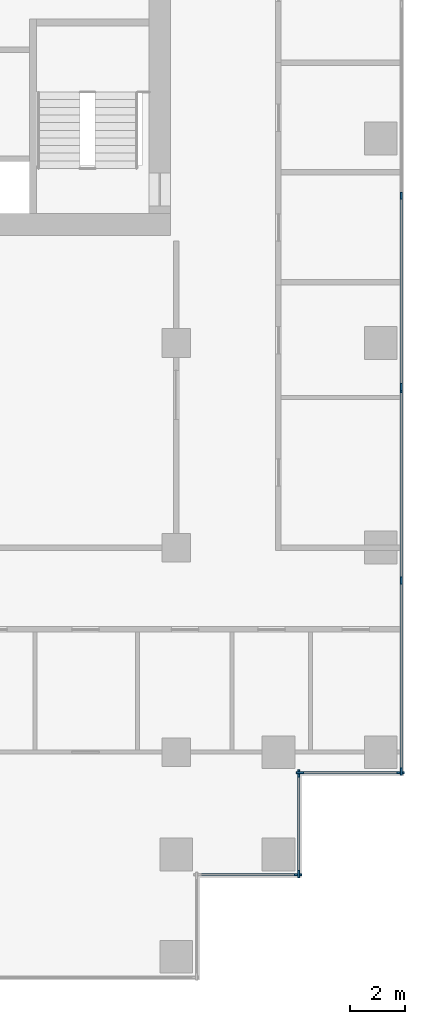
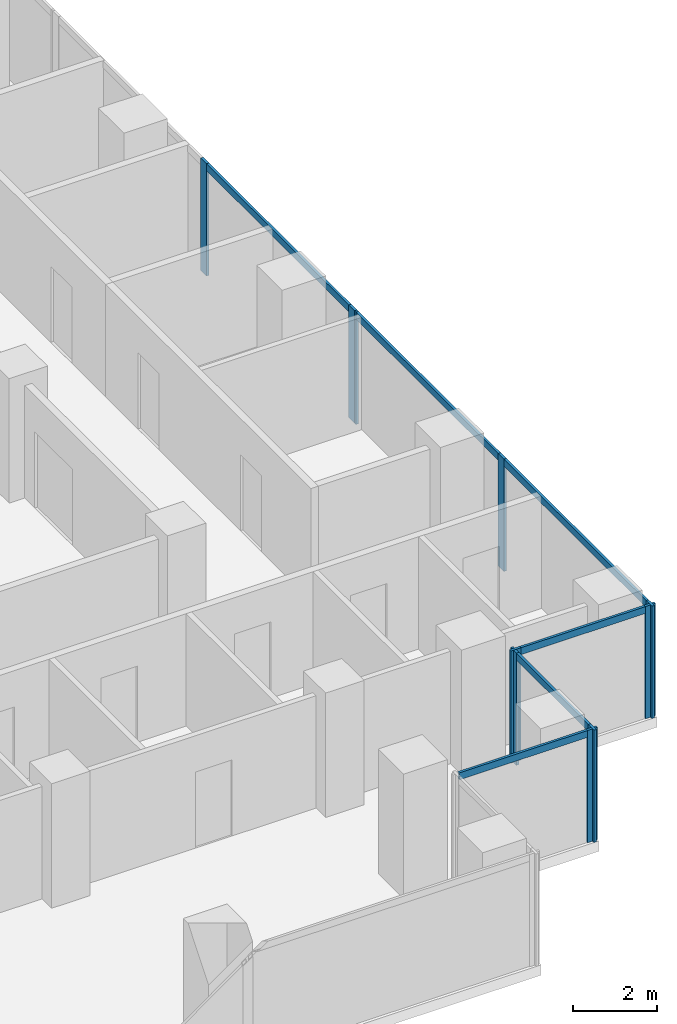
# One storey, part 3 of 10: 16 members, 5 elements without a shape of their own.
"""IFC4 building model written with IfcOpenShell, lengths in metres."""

from ifc_helpers import new_model, si_unit, direction, frame, origin, origin_2d, place, context, subcontext, project, spatial, rectangle, extrude, material, material_profile, profile_set, type_object, element, aggregate, save


model = new_model("IFC4")

# Units and contexts
model_context = context("Model", 3, precision=1e-05, world=origin(), true_north=direction((0.0, 1.0)))
body_context = subcontext(model_context, "Body", "Model", "MODEL_VIEW")
ifc_project = project(units=[si_unit("LENGTHUNIT", "METRE"), si_unit("AREAUNIT", "SQUARE_METRE"), si_unit("VOLUMEUNIT", "CUBIC_METRE"), si_unit("PLANEANGLEUNIT", "RADIAN"), si_unit("MASSUNIT", "GRAM", prefix="KILO")], contexts=[model_context])

# Site, building, storey
site_placement = place(None, origin())
site = spatial("IfcSite", under=ifc_project, at=site_placement, CompositionType="ELEMENT")
building_placement = place(site_placement, origin())
building = spatial("IfcBuilding", under=site, at=building_placement, Name="Pilkhan Gate Tower", CompositionType="ELEMENT")
storey_placement = place(building_placement, frame((0.0, 0.0, 180.10009765625)))
storey = spatial("IfcBuildingStorey", under=building, at=storey_placement, Name="L46", CompositionType="ELEMENT", Elevation=180.10009765625)

# Curtain wall, members
ifc_material_1 = material(Name="Pale anodised aluminium, clear low-iron double glazing", Category="aluminium")
curtain_wall_type = type_object("IfcCurtainWallType", Name="Office unitised curtain wall CW-O1", PredefinedType="USERDEFINED", material=ifc_material_1)
curtain_wall_1_placement = place(storey_placement, origin())
curtain_wall_1 = element("IfcCurtainWall", 1, at=curtain_wall_1_placement, inside=storey, type_object=curtain_wall_type, Name="Office unitised curtain wall CW-O1 L46 E", ObjectType="UNITISED CURTAIN WALL", PredefinedType="USERDEFINED")
ifc_material_2 = material(Name="Pale anodised aluminium", Category="aluminium")
ifc_material_profile_1 = material_profile(ifc_material_2, rectangle(XDim=0.070068359375, YDim=0.27490234375, at=origin_2d()), Name="Mullion 275x70")
ifc_profile_set_1 = profile_set([ifc_material_profile_1], Name="Pale anodised aluminium")
member_type_1 = type_object("IfcMemberType", Name="Mullion CW-O1 275x70", PredefinedType="MULLION", material=ifc_profile_set_1)
member_1_placement = place(storey_placement, frame((98.25, 51.784912109375, 0.0), z_axis=(0.0, 0.0, 1.0), x_axis=(-1.0, 0.0, 0.0)))
member_1 = element("IfcMember", 2, at=member_1_placement, type_object=member_type_1, Name="CW-O1 mullion 1", PredefinedType="MULLION", context=body_context, shape_type="SweptSolid", body=[
    extrude(rectangle(XDim=0.070068359375, YDim=0.27490234375, at=origin_2d()), origin(), (0.0, 0.0, 1.0), 3.25),
])
member_2_placement = place(storey_placement, frame((98.25, 58.800048828125, 0.0), z_axis=(0.0, 0.0, 1.0), x_axis=(-1.0, 0.0, 0.0)))
member_2 = element("IfcMember", 3, at=member_2_placement, type_object=member_type_1, Name="CW-O1 mullion 2", PredefinedType="MULLION", context=body_context, shape_type="SweptSolid", body=[
    extrude(rectangle(XDim=0.070068359375, YDim=0.27490234375, at=origin_2d()), origin(), (0.0, 0.0, 1.0), 3.25),
])
member_3_placement = place(storey_placement, frame((98.25, 65.81494140625, 0.0), z_axis=(0.0, 0.0, 1.0), x_axis=(-1.0, 0.0, 0.0)))
member_3 = element("IfcMember", 4, at=member_3_placement, type_object=member_type_1, Name="CW-O1 mullion 3", PredefinedType="MULLION", context=body_context, shape_type="SweptSolid", body=[
    extrude(rectangle(XDim=0.070068359375, YDim=0.27490234375, at=origin_2d()), origin(), (0.0, 0.0, 1.0), 3.25),
])

curtain_wall_2_placement = place(storey_placement, origin())
curtain_wall_2 = element("IfcCurtainWall", 5, at=curtain_wall_2_placement, inside=storey, type_object=curtain_wall_type, Name="Office unitised curtain wall CW-O1 L46 E", ObjectType="UNITISED CURTAIN WALL", PredefinedType="USERDEFINED")
member_4_placement = place(storey_placement, frame((98.25, 65.885009765625, 0.0), z_axis=(0.0, 0.0, 1.0), x_axis=(-1.0, 0.0, 0.0)))
member_4 = element("IfcMember", 6, at=member_4_placement, type_object=member_type_1, Name="CW-O1 mullion 1", PredefinedType="MULLION", context=body_context, shape_type="SweptSolid", body=[
    extrude(rectangle(XDim=0.070068359375, YDim=0.27490234375, at=origin_2d()), origin(), (0.0, 0.0, 1.0), 3.25),
])
member_5_placement = place(storey_placement, frame((98.25, 72.89990234375, 0.0), z_axis=(0.0, 0.0, 1.0), x_axis=(-1.0, 0.0, 0.0)))
member_5 = element("IfcMember", 7, at=member_5_placement, type_object=member_type_1, Name="CW-O1 mullion 2", PredefinedType="MULLION", context=body_context, shape_type="SweptSolid", body=[
    extrude(rectangle(XDim=0.070068359375, YDim=0.27490234375, at=origin_2d()), origin(), (0.0, 0.0, 1.0), 3.25),
])

# Curtain wall, member
curtain_wall_3_placement = place(storey_placement, origin())
curtain_wall_3 = element("IfcCurtainWall", 8, at=curtain_wall_3_placement, inside=storey, type_object=curtain_wall_type, Name="Office unitised curtain wall CW-O1 L46 S", ObjectType="UNITISED CURTAIN WALL", PredefinedType="USERDEFINED")
member_6_placement = place(storey_placement, frame((94.465087890625, 48.0, 0.0), z_axis=(0.0, 0.0, 1.0), x_axis=(0.0, 1.0, 0.0)))
member_6 = element("IfcMember", 9, at=member_6_placement, type_object=member_type_1, Name="CW-O1 mullion 2", PredefinedType="MULLION", context=body_context, shape_type="SweptSolid", body=[
    extrude(rectangle(XDim=0.070068359375, YDim=0.27490234375, at=origin_2d()), origin(), (0.0, 0.0, 1.0), 3.25),
])

# Curtain wall, members
curtain_wall_4_placement = place(storey_placement, origin())
curtain_wall_4 = element("IfcCurtainWall", 10, at=curtain_wall_4_placement, inside=storey, type_object=curtain_wall_type, Name="Office unitised curtain wall CW-O1 L46 E", ObjectType="UNITISED CURTAIN WALL", PredefinedType="USERDEFINED")
member_7_placement = place(storey_placement, frame((94.5, 48.034912109375, 0.0), z_axis=(0.0, 0.0, 1.0), x_axis=(-1.0, 0.0, 0.0)))
member_7 = element("IfcMember", 11, at=member_7_placement, type_object=member_type_1, Name="CW-O1 mullion 1", PredefinedType="MULLION", context=body_context, shape_type="SweptSolid", body=[
    extrude(rectangle(XDim=0.070068359375, YDim=0.27490234375, at=origin_2d()), origin(), (0.0, 0.0, 1.0), 3.25),
])
member_8_placement = place(storey_placement, frame((94.5, 51.715087890625, 0.0), z_axis=(0.0, 0.0, 1.0), x_axis=(-1.0, 0.0, 0.0)))
member_8 = element("IfcMember", 12, at=member_8_placement, type_object=member_type_1, Name="CW-O1 mullion 2", PredefinedType="MULLION", context=body_context, shape_type="SweptSolid", body=[
    extrude(rectangle(XDim=0.070068359375, YDim=0.27490234375, at=origin_2d()), origin(), (0.0, 0.0, 1.0), 3.25),
])

curtain_wall_5_placement = place(storey_placement, origin())
curtain_wall_5 = element("IfcCurtainWall", 13, at=curtain_wall_5_placement, inside=storey, type_object=curtain_wall_type, Name="Office unitised curtain wall CW-O1 L46 S", ObjectType="UNITISED CURTAIN WALL", PredefinedType="USERDEFINED")
member_9_placement = place(storey_placement, frame((94.534912109375, 51.75, 0.0), z_axis=(0.0, 0.0, 1.0), x_axis=(0.0, 1.0, 0.0)))
member_9 = element("IfcMember", 14, at=member_9_placement, type_object=member_type_1, Name="CW-O1 mullion 1", PredefinedType="MULLION", context=body_context, shape_type="SweptSolid", body=[
    extrude(rectangle(XDim=0.070068359375, YDim=0.27490234375, at=origin_2d()), origin(), (0.0, 0.0, 1.0), 3.25),
])
member_10_placement = place(storey_placement, frame((98.215087890625, 51.75, 0.0), z_axis=(0.0, 0.0, 1.0), x_axis=(0.0, 1.0, 0.0)))
member_10 = element("IfcMember", 15, at=member_10_placement, type_object=member_type_1, Name="CW-O1 mullion 2", PredefinedType="MULLION", context=body_context, shape_type="SweptSolid", body=[
    extrude(rectangle(XDim=0.070068359375, YDim=0.27490234375, at=origin_2d()), origin(), (0.0, 0.0, 1.0), 3.25),
])

# Member
ifc_material_profile_2 = material_profile(ifc_material_2, rectangle(XDim=0.070068359375, YDim=0.199951171875, at=origin_2d()), Name="Transom 200x70")
ifc_profile_set_2 = profile_set([ifc_material_profile_2], Name="Pale anodised aluminium")
member_type_2 = type_object("IfcMemberType", Name="Transom CW-O1 200x70", PredefinedType="USERDEFINED", material=ifc_profile_set_2)
member_11_placement = place(storey_placement, frame((98.25, 51.820068359375, 3.14990234375), z_axis=(0.0, 1.0, 0.0), x_axis=(-1.0, 0.0, 0.0)))
member_11 = element("IfcMember", 16, at=member_11_placement, type_object=member_type_2, Name="CW-O1 transom 1", ObjectType="TRANSOM", PredefinedType="USERDEFINED", context=body_context, shape_type="SweptSolid", body=[
    extrude(rectangle(XDim=0.070068359375, YDim=0.199951171875, at=origin_2d()), origin(), (0.0, 0.0, 1.0), 6.94482421875),
])

member_12_placement = place(storey_placement, frame((98.25, 58.8349609375, 3.14990234375), z_axis=(0.0, 1.0, 0.0), x_axis=(-1.0, 0.0, 0.0)))
member_12 = element("IfcMember", 17, at=member_12_placement, type_object=member_type_2, Name="CW-O1 transom 2", ObjectType="TRANSOM", PredefinedType="USERDEFINED", context=body_context, shape_type="SweptSolid", body=[
    extrude(rectangle(XDim=0.070068359375, YDim=0.199951171875, at=origin_2d()), origin(), (0.0, 0.0, 1.0), 6.945068359375),
])

aggregate(curtain_wall_1, [member_1, member_2, member_3, member_11, member_12])

member_13_placement = place(storey_placement, frame((98.25, 65.919921875, 3.14990234375), z_axis=(0.0, 1.0, 0.0), x_axis=(-1.0, 0.0, 0.0)))
member_13 = element("IfcMember", 18, at=member_13_placement, type_object=member_type_2, Name="CW-O1 transom 1", ObjectType="TRANSOM", PredefinedType="USERDEFINED", context=body_context, shape_type="SweptSolid", body=[
    extrude(rectangle(XDim=0.070068359375, YDim=0.199951171875, at=origin_2d()), origin(), (0.0, 0.0, 1.0), 6.945068359375),
])

aggregate(curtain_wall_2, [member_4, member_5, member_13])

member_14_placement = place(storey_placement, frame((90.820068359375, 48.0, 3.14990234375), z_axis=(1.0, 0.0, 0.0), x_axis=(0.0, 1.0, 0.0)))
member_14 = element("IfcMember", 19, at=member_14_placement, type_object=member_type_2, Name="CW-O1 transom 1", ObjectType="TRANSOM", PredefinedType="USERDEFINED", context=body_context, shape_type="SweptSolid", body=[
    extrude(rectangle(XDim=0.070068359375, YDim=0.199951171875, at=origin_2d()), origin(), (0.0, 0.0, 1.0), 3.60986328125),
])

aggregate(curtain_wall_3, [member_6, member_14])

member_15_placement = place(storey_placement, frame((94.5, 48.070068359375, 3.14990234375), z_axis=(0.0, 1.0, 0.0), x_axis=(-1.0, 0.0, 0.0)))
member_15 = element("IfcMember", 20, at=member_15_placement, type_object=member_type_2, Name="CW-O1 transom 1", ObjectType="TRANSOM", PredefinedType="USERDEFINED", context=body_context, shape_type="SweptSolid", body=[
    extrude(rectangle(XDim=0.070068359375, YDim=0.199951171875, at=origin_2d()), origin(), (0.0, 0.0, 1.0), 3.60986328125),
])

aggregate(curtain_wall_4, [member_7, member_8, member_15])

member_16_placement = place(storey_placement, frame((94.570068359375, 51.75, 3.14990234375), z_axis=(1.0, 0.0, 0.0), x_axis=(0.0, 1.0, 0.0)))
member_16 = element("IfcMember", 21, at=member_16_placement, type_object=member_type_2, Name="CW-O1 transom 1", ObjectType="TRANSOM", PredefinedType="USERDEFINED", context=body_context, shape_type="SweptSolid", body=[
    extrude(rectangle(XDim=0.070068359375, YDim=0.199951171875, at=origin_2d()), origin(), (0.0, 0.0, 1.0), 3.60986328125),
])

aggregate(curtain_wall_5, [member_9, member_10, member_16])

save(model, "model.ifc")
